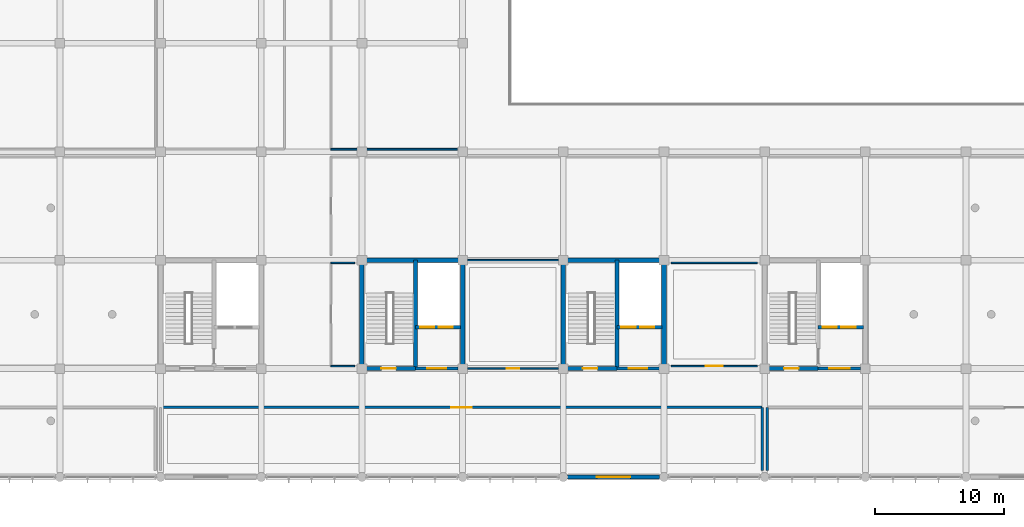
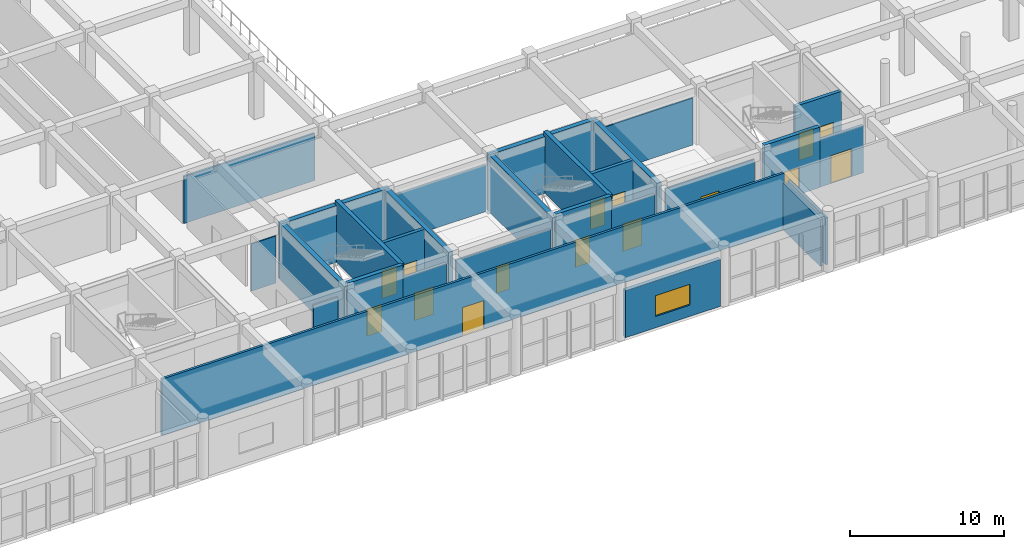
# One storey, part 152 of 167: 28 walls, 15 doors, 1 window, 16 openings.
"""IFC4 building model written with IfcOpenShell, lengths in metres."""

from ifc_helpers import new_model, si_unit, direction, frame, frame_2d, origin, place, context, subcontext, project, spatial, rectangle, extrude, material, layer, layer_set, type_object, element, fill, save


model = new_model("IFC4")

# Units and contexts
model_context = context("Model", 3, precision=1e-05, world=origin(), true_north=direction((0.0, 1.0)))
body_context = subcontext(model_context, "Body", "Model", "MODEL_VIEW")
ifc_project = project(units=[si_unit("LENGTHUNIT", "METRE"), si_unit("AREAUNIT", "SQUARE_METRE"), si_unit("VOLUMEUNIT", "CUBIC_METRE"), si_unit("PLANEANGLEUNIT", "RADIAN"), si_unit("MASSUNIT", "GRAM", prefix="KILO")], contexts=[model_context])

# Site, building, storey
site_placement = place(None, origin())
site = spatial("IfcSite", under=ifc_project, at=site_placement, CompositionType="ELEMENT")
building_placement = place(site_placement, origin())
building = spatial("IfcBuilding", under=site, at=building_placement, Name="Zizhar Promenade General Hospital", CompositionType="ELEMENT")
storey_placement = place(building_placement, frame((0.0, 0.0, 9.60009765625)))
storey = spatial("IfcBuildingStorey", under=building, at=storey_placement, Name="L02", CompositionType="ELEMENT", Elevation=9.60009765625)

# Wall, opening, window
ifc_material_1 = material(Name="Precast concrete C40/50", Category="concrete")
ifc_layer_1 = layer(ifc_material_1, 0.2900390625)
ifc_layer_set_1 = layer_set([ifc_layer_1], Name="Precast concrete C40/50")
wall_type_1 = type_object("IfcWallType", Name="EW-PC-290", PredefinedType="STANDARD", material=ifc_layer_set_1)
wall_1_placement = place(storey_placement, frame((85.4599609375, 0.0, 0.0), z_axis=(0.0, 0.0, 1.0), x_axis=(-1.0, 0.0, 0.0)))
wall_1 = element("IfcWall", 1, at=wall_1_placement, inside=storey, type_object=wall_type_1, Name="Riverfront Facade Wall L02-9", PredefinedType="STANDARD", context=body_context, shape_type="SweptSolid", body=[
    extrude(rectangle(XDim=7.119873046875, YDim=0.2900390625, at=frame_2d((3.56005859375, 0.0))), origin(), (0.0, 0.0, 1.0), 3.72998046875),
])
opening_1_placement = place(wall_1_placement, frame((2.260009765625, 0.0, 0.89990234375)))
opening_1 = element("IfcOpeningElement", 2, at=opening_1_placement, cuts=wall_1, Name="Opening W-06", PredefinedType="OPENING", context=body_context, shape_type="SweptSolid", body=[
    extrude(rectangle(XDim=2.60009765625, YDim=1.64990234375, at=frame_2d((1.300048828125, 0.824951171875))), frame((0.0, 0.155029296875, 0.0), z_axis=(0.0, -1.0, 0.0), x_axis=(1.0, 0.0, 0.0)), (0.0, 0.0, 1.0), 0.31005859375),
])
ifc_material_2 = material(Name="Anodised aluminium 6063-T6 and low-E glass", Category="aluminium")
window_type = type_object("IfcWindowType", Name="WIN-CLN-260x165", PartitioningType="TRIPLE_PANEL_VERTICAL", PredefinedType="WINDOW", material=ifc_material_2)
window_placement = place(opening_1_placement, origin())
window = element("IfcWindow", 3, at=window_placement, inside=storey, type_object=window_type, Name="Riverfront Facade Wall L02-9 Window 1", OverallHeight=1.64990234375, OverallWidth=2.60009765625, PartitioningType="SINGLE_PANEL", PredefinedType="WINDOW", context=body_context, shape_type="SweptSolid", body=[
    extrude(rectangle(XDim=2.60009765625, YDim=1.64990234375, at=frame_2d((1.300048828125, 0.824951171875))), frame((0.0, 0.030029296875, 0.0), z_axis=(0.0, -1.0, 0.0), x_axis=(1.0, 0.0, 0.0)), (0.0, 0.0, 1.0), 0.06005859375),
])
fill(opening_1, window)

# Wall, opening, door
ifc_material_3 = material(Name="Acoustic double-stud clinical partition")
ifc_layer_2 = layer(ifc_material_3, 0.179931640625)
ifc_layer_set_2 = layer_set([ifc_layer_2], Name="Acoustic double-stud clinical partition")
wall_type_2 = type_object("IfcWallType", Name="IW-ICU-180", PredefinedType="PARTITIONING", material=ifc_layer_set_2)
wall_2_placement = place(storey_placement, frame((46.800048828125, 5.39990234375, 0.0), z_axis=(0.0, 0.0, 1.0), x_axis=(1.0, 0.0, 0.0)))
wall_2 = element("IfcWall", 4, at=wall_2_placement, inside=storey, type_object=wall_type_2, Name="Adult Intensive Care Unit East N Partition", PredefinedType="PARTITIONING", context=body_context, shape_type="SweptSolid", body=[
    extrude(rectangle(XDim=46.599853515625, YDim=0.179931640625, at=frame_2d((23.2998046875, 0.0))), origin(), (0.0, 0.0, 1.0), 4.4599609375),
])
opening_2_placement = place(wall_2_placement, frame((22.5, 0.0, 0.0)))
opening_2 = element("IfcOpeningElement", 5, at=opening_2_placement, cuts=wall_2, Name="Opening D-05", PredefinedType="OPENING", context=body_context, shape_type="SweptSolid", body=[
    extrude(rectangle(XDim=1.60009765625, YDim=2.25, at=frame_2d((0.800048828125, 1.125))), frame((0.0, 0.10009765625, 0.0), z_axis=(0.0, -1.0, 0.0), x_axis=(1.0, 0.0, 0.0)), (0.0, 0.0, 1.0), 0.199951171875),
])
ifc_material_4 = material(Name="Anodised aluminium and clinical glass", Category="aluminium")
door_type_1 = type_object("IfcDoorType", Name="DR-ICU-GLZ-160x225", OperationType="SLIDING_TO_RIGHT", PredefinedType="DOOR", material=ifc_material_4)
door_1_placement = place(opening_2_placement, origin())
door_1 = element("IfcDoor", 6, at=door_1_placement, inside=storey, type_object=door_type_1, Name="Adult Intensive Care Unit East Door", OperationType="SLIDING_TO_RIGHT", OverallHeight=2.25, OverallWidth=1.60009765625, PredefinedType="DOOR", context=body_context, shape_type="SweptSolid", body=[
    extrude(rectangle(XDim=1.60009765625, YDim=2.25, at=frame_2d((0.800048828125, 1.125))), frame((0.0, 0.02490234375, 0.0), z_axis=(0.0, -1.0, 0.0), x_axis=(1.0, 0.0, 0.0)), (0.0, 0.0, 1.0), 0.050048828125),
])
fill(opening_2, door_1)

# Walls
for number, where, z_axis, x_axis, name in (
    (7, (93.39990234375, 0.5, 0.0), (0.0, 0.0, 1.0), (0.0, 1.0, 0.0), "Adult Intensive Care Unit East E Partition"),
    (8, (93.800048828125, 0.5, 0.0), (0.0, 0.0, 1.0), (0.0, 1.0, 0.0), "Paediatric and Surgical Intensive Care Unit W Partition"),
):
    element("IfcWall", number, at=place(storey_placement, frame(where, z_axis=z_axis, x_axis=x_axis)), inside=storey, type_object=wall_type_2, Name=name, PredefinedType="PARTITIONING", context=body_context, shape_type="SweptSolid", body=[
        extrude(rectangle(XDim=4.89990234375, YDim=0.179931640625, at=frame_2d((2.449951171875, 0.0))), origin(), (0.0, 0.0, 1.0), 3.71484375),
    ])
ifc_material_5 = material(Name="Chemical-resistant laboratory partition")
ifc_layer_3 = layer(ifc_material_5, 0.135009765625)
ifc_layer_set_3 = layer_set([ifc_layer_3], Name="Chemical-resistant laboratory partition")
wall_type_3 = type_object("IfcWallType", Name="IW-LAB-135", PredefinedType="PARTITIONING", material=ifc_layer_set_3)
wall_3_placement = place(storey_placement, frame((60.0, 25.39990234375, 0.0), z_axis=(0.0, 0.0, 1.0), x_axis=(1.0, 0.0, 0.0)))
element("IfcWall", 9, at=wall_3_placement, inside=storey, type_object=wall_type_3, Name="Sterile Instrument Preparation Suite S Partition", PredefinedType="PARTITIONING", context=body_context, shape_type="SweptSolid", body=[
    extrude(rectangle(XDim=9.800048828125, YDim=0.135009765625, at=frame_2d((4.89990234375, 0.0))), origin(), (0.0, 0.0, 1.0), 3.72998046875),
])

# Wall, opening, door
ifc_material_6 = material(Name="Concrete C35/45", Category="concrete")
ifc_layer_4 = layer(ifc_material_6, 0.215087890625)
ifc_layer_set_4 = layer_set([ifc_layer_4], Name="Concrete C35/45")
wall_type_4 = type_object("IfcWallType", Name="IW-LOBBY-215", PredefinedType="STANDARD", material=ifc_layer_set_4)
wall_4_placement = place(storey_placement, frame((66.550048828125, 8.39990234375, 0.0), z_axis=(0.0, 0.0, 1.0), x_axis=(1.0, 0.0, 0.0)))
wall_4 = element("IfcWall", 10, at=wall_4_placement, inside=storey, type_object=wall_type_4, Name="Core C3 Lift Lobby South Fire Wall (L02)", PredefinedType="STANDARD", context=body_context, shape_type="SweptSolid", body=[
    extrude(rectangle(XDim=3.2900390625, YDim=0.215087890625, at=frame_2d((1.64501953125, 0.0))), origin(), (0.0, 0.0, 1.0), 3.72998046875),
])
opening_3_placement = place(wall_4_placement, frame((0.925048828125, 0.0, 0.0)))
opening_3 = element("IfcOpeningElement", 11, at=opening_3_placement, cuts=wall_4, Name="Opening D-23", PredefinedType="OPENING", context=body_context, shape_type="SweptSolid", body=[
    extrude(rectangle(XDim=1.43994140625, YDim=2.199951171875, at=frame_2d((0.719970703125, 1.10009765625))), frame((0.0, 0.11767578125, 0.0), z_axis=(0.0, -1.0, 0.0), x_axis=(1.0, 0.0, 0.0)), (0.0, 0.0, 1.0), 0.235107421875),
])
ifc_material_7 = material(Name="Fire-rated timber lift lobby pair", Category="wood")
door_type_2 = type_object("IfcDoorType", Name="DR-LOBBY-PR-144x220", OperationType="DOUBLE_DOOR_SINGLE_SWING", PredefinedType="DOOR", material=ifc_material_7)
door_2_placement = place(opening_3_placement, origin())
door_2 = element("IfcDoor", 12, at=door_2_placement, inside=storey, type_object=door_type_2, Name="Core C3 Protected Lift Lobby Door (L02)", OperationType="DOUBLE_DOOR_SINGLE_SWING", OverallHeight=2.199951171875, OverallWidth=1.43994140625, PredefinedType="DOOR", context=body_context, shape_type="SweptSolid", body=[
    extrude(rectangle(XDim=1.43994140625, YDim=2.199951171875, at=frame_2d((0.719970703125, 1.10009765625))), frame((0.0, 0.02490234375, 0.0), z_axis=(0.0, -1.0, 0.0), x_axis=(1.0, 0.0, 0.0)), (0.0, 0.0, 1.0), 0.050048828125),
])
fill(opening_3, door_2)

wall_5_placement = place(storey_placement, frame((82.14990234375, 8.39990234375, 0.0), z_axis=(0.0, 0.0, 1.0), x_axis=(1.0, 0.0, 0.0)))
wall_5 = element("IfcWall", 13, at=wall_5_placement, inside=storey, type_object=wall_type_4, Name="Core C4 Lift Lobby South Fire Wall (L02)", PredefinedType="STANDARD", context=body_context, shape_type="SweptSolid", body=[
    extrude(rectangle(XDim=3.2900390625, YDim=0.215087890625, at=frame_2d((1.64501953125, 0.0))), origin(), (0.0, 0.0, 1.0), 3.72998046875),
])
opening_4_placement = place(wall_5_placement, frame((0.925048828125, 0.0, 0.0)))
opening_4 = element("IfcOpeningElement", 14, at=opening_4_placement, cuts=wall_5, Name="Opening D-23", PredefinedType="OPENING", context=body_context, shape_type="SweptSolid", body=[
    extrude(rectangle(XDim=1.43994140625, YDim=2.199951171875, at=frame_2d((0.719970703125, 1.10009765625))), frame((0.0, 0.11767578125, 0.0), z_axis=(0.0, -1.0, 0.0), x_axis=(1.0, 0.0, 0.0)), (0.0, 0.0, 1.0), 0.235107421875),
])
door_3_placement = place(opening_4_placement, origin())
door_3 = element("IfcDoor", 15, at=door_3_placement, inside=storey, type_object=door_type_2, Name="Core C4 Protected Lift Lobby Door (L02)", OperationType="DOUBLE_DOOR_SINGLE_SWING", OverallHeight=2.199951171875, OverallWidth=1.43994140625, PredefinedType="DOOR", context=body_context, shape_type="SweptSolid", body=[
    extrude(rectangle(XDim=1.43994140625, YDim=2.199951171875, at=frame_2d((0.719970703125, 1.10009765625))), frame((0.0, 0.02490234375, 0.0), z_axis=(0.0, -1.0, 0.0), x_axis=(1.0, 0.0, 0.0)), (0.0, 0.0, 1.0), 0.050048828125),
])
fill(opening_4, door_3)

wall_6_placement = place(storey_placement, frame((97.75, 8.39990234375, 0.0), z_axis=(0.0, 0.0, 1.0), x_axis=(1.0, 0.0, 0.0)))
wall_6 = element("IfcWall", 16, at=wall_6_placement, inside=storey, type_object=wall_type_4, Name="Core C5 Lift Lobby South Fire Wall (L02)", PredefinedType="STANDARD", context=body_context, shape_type="SweptSolid", body=[
    extrude(rectangle(XDim=3.2900390625, YDim=0.215087890625, at=frame_2d((1.64501953125, 0.0))), origin(), (0.0, 0.0, 1.0), 3.72998046875),
])
opening_5_placement = place(wall_6_placement, frame((0.864990234375, 0.0, 0.0)))
opening_5 = element("IfcOpeningElement", 17, at=opening_5_placement, cuts=wall_6, Name="Opening D-22", PredefinedType="OPENING", context=body_context, shape_type="SweptSolid", body=[
    extrude(rectangle(XDim=1.56005859375, YDim=2.199951171875, at=frame_2d((0.780029296875, 1.10009765625))), frame((0.0, 0.11767578125, 0.0), z_axis=(0.0, -1.0, 0.0), x_axis=(1.0, 0.0, 0.0)), (0.0, 0.0, 1.0), 0.235107421875),
])
ifc_material_8 = material(Name="Steel S355 firefighting lobby pair", Category="steel")
door_type_3 = type_object("IfcDoorType", Name="DR-LOBBY-FF-156x220", OperationType="DOUBLE_DOOR_SINGLE_SWING", PredefinedType="DOOR", material=ifc_material_8)
door_4_placement = place(opening_5_placement, origin())
door_4 = element("IfcDoor", 18, at=door_4_placement, inside=storey, type_object=door_type_3, Name="Core C5 Firefighting Lift Lobby Door (L02)", OperationType="DOUBLE_DOOR_SINGLE_SWING", OverallHeight=2.199951171875, OverallWidth=1.56005859375, PredefinedType="DOOR", context=body_context, shape_type="SweptSolid", body=[
    extrude(rectangle(XDim=1.56005859375, YDim=2.199951171875, at=frame_2d((0.780029296875, 1.10009765625))), frame((0.0, 0.02490234375, 0.0), z_axis=(0.0, -1.0, 0.0), x_axis=(1.0, 0.0, 0.0)), (0.0, 0.0, 1.0), 0.050048828125),
])
fill(opening_5, door_4)

# Wall, openings, doors
ifc_material_9 = material(Name="Concrete C35/45", Category="concrete")
ifc_layer_5 = layer(ifc_material_9, 0.25)
ifc_layer_set_5 = layer_set([ifc_layer_5], Name="Concrete C35/45")
wall_type_5 = type_object("IfcWallType", Name="IW-SHAFT-250", PredefinedType="STANDARD", material=ifc_layer_set_5)
wall_7_placement = place(storey_placement, frame((66.550048828125, 11.60009765625, 0.0), z_axis=(0.0, 0.0, 1.0), x_axis=(1.0, 0.0, 0.0)))
wall_7 = element("IfcWall", 19, at=wall_7_placement, inside=storey, type_object=wall_type_5, Name="Core C3 Lift Shaft Landing Wall (L02)", PredefinedType="STANDARD", context=body_context, shape_type="SweptSolid", body=[
    extrude(rectangle(XDim=3.5, YDim=0.25, at=frame_2d((1.75, 0.0))), origin(), (0.0, 0.0, 1.0), 4.4599609375),
])
opening_6_placement = place(wall_7_placement, frame((0.35009765625, 0.0, 0.0)))
opening_6 = element("IfcOpeningElement", 20, at=opening_6_placement, cuts=wall_7, Name="Opening LD-11", PredefinedType="OPENING", context=body_context, shape_type="SweptSolid", body=[
    extrude(rectangle(XDim=1.10009765625, YDim=2.199951171875, at=frame_2d((0.550048828125, 1.10009765625))), frame((0.0, 0.135009765625, 0.0), z_axis=(0.0, -1.0, 0.0), x_axis=(1.0, 0.0, 0.0)), (0.0, 0.0, 1.0), 0.27001953125),
])
opening_7_placement = place(wall_7_placement, frame((1.800048828125, 0.0, 0.0)))
opening_7 = element("IfcOpeningElement", 21, at=opening_7_placement, cuts=wall_7, Name="Opening LD-11", PredefinedType="OPENING", context=body_context, shape_type="SweptSolid", body=[
    extrude(rectangle(XDim=1.10009765625, YDim=2.199951171875, at=frame_2d((0.550048828125, 1.10009765625))), frame((0.0, 0.135009765625, 0.0), z_axis=(0.0, -1.0, 0.0), x_axis=(1.0, 0.0, 0.0)), (0.0, 0.0, 1.0), 0.27001953125),
])
ifc_material_10 = material(Name="Stainless Steel S355 passenger lift landing door", Category="steel")
door_type_4 = type_object("IfcDoorType", Name="DR-LIFT-LD11", OperationType="SLIDING_TO_LEFT", PredefinedType="DOOR", material=ifc_material_10)
door_5_placement = place(opening_6_placement, origin())
door_5 = element("IfcDoor", 22, at=door_5_placement, inside=storey, type_object=door_type_4, Name="Lift LB-02 Sliding Landing Door (L02)", OperationType="SLIDING_TO_LEFT", OverallHeight=2.199951171875, OverallWidth=1.10009765625, PredefinedType="DOOR", context=body_context, shape_type="SweptSolid", body=[
    extrude(rectangle(XDim=1.10009765625, YDim=2.199951171875, at=frame_2d((0.550048828125, 1.10009765625))), frame((0.0, 0.02490234375, 0.0), z_axis=(0.0, -1.0, 0.0), x_axis=(1.0, 0.0, 0.0)), (0.0, 0.0, 1.0), 0.050048828125),
])
fill(opening_6, door_5)
door_6_placement = place(opening_7_placement, origin())
door_6 = element("IfcDoor", 23, at=door_6_placement, inside=storey, type_object=door_type_4, Name="Lift LP-02 Sliding Landing Door (L02)", OperationType="SLIDING_TO_LEFT", OverallHeight=2.199951171875, OverallWidth=1.10009765625, PredefinedType="DOOR", context=body_context, shape_type="SweptSolid", body=[
    extrude(rectangle(XDim=1.10009765625, YDim=2.199951171875, at=frame_2d((0.550048828125, 1.10009765625))), frame((0.0, 0.02490234375, 0.0), z_axis=(0.0, -1.0, 0.0), x_axis=(1.0, 0.0, 0.0)), (0.0, 0.0, 1.0), 0.050048828125),
])
fill(opening_7, door_6)

wall_8_placement = place(storey_placement, frame((82.14990234375, 11.60009765625, 0.0), z_axis=(0.0, 0.0, 1.0), x_axis=(1.0, 0.0, 0.0)))
wall_8 = element("IfcWall", 24, at=wall_8_placement, inside=storey, type_object=wall_type_5, Name="Core C4 Lift Shaft Landing Wall (L02)", PredefinedType="STANDARD", context=body_context, shape_type="SweptSolid", body=[
    extrude(rectangle(XDim=3.5, YDim=0.25, at=frame_2d((1.75, 0.0))), origin(), (0.0, 0.0, 1.0), 4.4599609375),
])
opening_8_placement = place(wall_8_placement, frame((0.35009765625, 0.0, 0.0)))
opening_8 = element("IfcOpeningElement", 25, at=opening_8_placement, cuts=wall_8, Name="Opening LD-11", PredefinedType="OPENING", context=body_context, shape_type="SweptSolid", body=[
    extrude(rectangle(XDim=1.10009765625, YDim=2.199951171875, at=frame_2d((0.550048828125, 1.10009765625))), frame((0.0, 0.135009765625, 0.0), z_axis=(0.0, -1.0, 0.0), x_axis=(1.0, 0.0, 0.0)), (0.0, 0.0, 1.0), 0.27001953125),
])
opening_9_placement = place(wall_8_placement, frame((1.800048828125, 0.0, 0.0)))
opening_9 = element("IfcOpeningElement", 26, at=opening_9_placement, cuts=wall_8, Name="Opening LD-11", PredefinedType="OPENING", context=body_context, shape_type="SweptSolid", body=[
    extrude(rectangle(XDim=1.10009765625, YDim=2.199951171875, at=frame_2d((0.550048828125, 1.10009765625))), frame((0.0, 0.135009765625, 0.0), z_axis=(0.0, -1.0, 0.0), x_axis=(1.0, 0.0, 0.0)), (0.0, 0.0, 1.0), 0.27001953125),
])
door_7_placement = place(opening_8_placement, origin())
door_7 = element("IfcDoor", 27, at=door_7_placement, inside=storey, type_object=door_type_4, Name="Lift LB-03 Sliding Landing Door (L02)", OperationType="SLIDING_TO_LEFT", OverallHeight=2.199951171875, OverallWidth=1.10009765625, PredefinedType="DOOR", context=body_context, shape_type="SweptSolid", body=[
    extrude(rectangle(XDim=1.10009765625, YDim=2.199951171875, at=frame_2d((0.550048828125, 1.10009765625))), frame((0.0, 0.02490234375, 0.0), z_axis=(0.0, -1.0, 0.0), x_axis=(1.0, 0.0, 0.0)), (0.0, 0.0, 1.0), 0.050048828125),
])
fill(opening_8, door_7)
door_8_placement = place(opening_9_placement, origin())
door_8 = element("IfcDoor", 28, at=door_8_placement, inside=storey, type_object=door_type_4, Name="Lift LP-03 Sliding Landing Door (L02)", OperationType="SLIDING_TO_LEFT", OverallHeight=2.199951171875, OverallWidth=1.10009765625, PredefinedType="DOOR", context=body_context, shape_type="SweptSolid", body=[
    extrude(rectangle(XDim=1.10009765625, YDim=2.199951171875, at=frame_2d((0.550048828125, 1.10009765625))), frame((0.0, 0.02490234375, 0.0), z_axis=(0.0, -1.0, 0.0), x_axis=(1.0, 0.0, 0.0)), (0.0, 0.0, 1.0), 0.050048828125),
])
fill(opening_9, door_8)

wall_9_placement = place(storey_placement, frame((97.75, 11.60009765625, 0.0), z_axis=(0.0, 0.0, 1.0), x_axis=(1.0, 0.0, 0.0)))
wall_9 = element("IfcWall", 29, at=wall_9_placement, inside=storey, type_object=wall_type_5, Name="Core C5 Lift Shaft Landing Wall (L02)", PredefinedType="STANDARD", context=body_context, shape_type="SweptSolid", body=[
    extrude(rectangle(XDim=3.5, YDim=0.25, at=frame_2d((1.75, 0.0))), origin(), (0.0, 0.0, 1.0), 4.4599609375),
])
opening_10_placement = place(wall_9_placement, frame((0.35009765625, 0.0, 0.0)))
opening_10 = element("IfcOpeningElement", 30, at=opening_10_placement, cuts=wall_9, Name="Opening LD-11", PredefinedType="OPENING", context=body_context, shape_type="SweptSolid", body=[
    extrude(rectangle(XDim=1.10009765625, YDim=2.199951171875, at=frame_2d((0.550048828125, 1.10009765625))), frame((0.0, 0.135009765625, 0.0), z_axis=(0.0, -1.0, 0.0), x_axis=(1.0, 0.0, 0.0)), (0.0, 0.0, 1.0), 0.27001953125),
])
opening_11_placement = place(wall_9_placement, frame((1.800048828125, 0.0, 0.0)))
opening_11 = element("IfcOpeningElement", 31, at=opening_11_placement, cuts=wall_9, Name="Opening LD-11", PredefinedType="OPENING", context=body_context, shape_type="SweptSolid", body=[
    extrude(rectangle(XDim=1.10009765625, YDim=2.199951171875, at=frame_2d((0.550048828125, 1.10009765625))), frame((0.0, 0.135009765625, 0.0), z_axis=(0.0, -1.0, 0.0), x_axis=(1.0, 0.0, 0.0)), (0.0, 0.0, 1.0), 0.27001953125),
])
door_9_placement = place(opening_10_placement, origin())
door_9 = element("IfcDoor", 32, at=door_9_placement, inside=storey, type_object=door_type_4, Name="Lift LF-02 Sliding Landing Door (L02)", OperationType="SLIDING_TO_LEFT", OverallHeight=2.199951171875, OverallWidth=1.10009765625, PredefinedType="DOOR", context=body_context, shape_type="SweptSolid", body=[
    extrude(rectangle(XDim=1.10009765625, YDim=2.199951171875, at=frame_2d((0.550048828125, 1.10009765625))), frame((0.0, 0.02490234375, 0.0), z_axis=(0.0, -1.0, 0.0), x_axis=(1.0, 0.0, 0.0)), (0.0, 0.0, 1.0), 0.050048828125),
])
fill(opening_10, door_9)
door_10_placement = place(opening_11_placement, origin())
door_10 = element("IfcDoor", 33, at=door_10_placement, inside=storey, type_object=door_type_4, Name="Lift LB-04 Sliding Landing Door (L02)", OperationType="SLIDING_TO_LEFT", OverallHeight=2.199951171875, OverallWidth=1.10009765625, PredefinedType="DOOR", context=body_context, shape_type="SweptSolid", body=[
    extrude(rectangle(XDim=1.10009765625, YDim=2.199951171875, at=frame_2d((0.550048828125, 1.10009765625))), frame((0.0, 0.02490234375, 0.0), z_axis=(0.0, -1.0, 0.0), x_axis=(1.0, 0.0, 0.0)), (0.0, 0.0, 1.0), 0.050048828125),
])
fill(opening_11, door_10)

# Walls
ifc_material_11 = material(Name="Clean utility gypsum partition")
ifc_layer_6 = layer(ifc_material_11, 0.114990234375)
ifc_layer_set_6 = layer_set([ifc_layer_6], Name="Clean utility gypsum partition")
wall_type_6 = type_object("IfcWallType", Name="IW-STR-115", PredefinedType="PARTITIONING", material=ifc_layer_set_6)
for number, where, z_axis, x_axis, name in (
    (34, (60.0, 8.60009765625, 0.0), (0.0, 0.0, 1.0), (1.0, 0.0, 0.0), "ICU Clean Utility L02 S Partition"),
    (35, (60.0, 16.60009765625, 0.0), (0.0, 0.0, 1.0), (1.0, 0.0, 0.0), "ICU Clean Utility L02 N Partition"),
):
    element("IfcWall", number, at=place(storey_placement, frame(where, z_axis=z_axis, x_axis=x_axis)), inside=storey, type_object=wall_type_6, Name=name, PredefinedType="PARTITIONING", context=body_context, shape_type="SweptSolid", body=[
        extrude(rectangle(XDim=1.840087890625, YDim=0.114990234375, at=frame_2d((0.919921875, 0.0))), origin(), (0.0, 0.0, 1.0), 3.72998046875),
    ])

# Wall, opening, door
wall_10_placement = place(storey_placement, frame((86.360107421875, 8.60009765625, 0.0), z_axis=(0.0, 0.0, 1.0), x_axis=(1.0, 0.0, 0.0)))
wall_10 = element("IfcWall", 36, at=wall_10_placement, inside=storey, type_object=wall_type_6, Name="ICU Central Monitoring and Clean Utility L02 S Partition", PredefinedType="PARTITIONING", context=body_context, shape_type="SweptSolid", body=[
    extrude(rectangle(XDim=6.679931640625, YDim=0.114990234375, at=frame_2d((3.33984375, 0.0))), origin(), (0.0, 0.0, 1.0), 3.72998046875),
])
opening_12_placement = place(wall_10_placement, frame((2.679931640625, 0.0, 0.0)))
opening_12 = element("IfcOpeningElement", 37, at=opening_12_placement, cuts=wall_10, Name="Opening D-26", PredefinedType="OPENING", context=body_context, shape_type="SweptSolid", body=[
    extrude(rectangle(XDim=1.320068359375, YDim=2.14990234375, at=frame_2d((0.66015625, 1.074951171875))), frame((0.0, 0.0673828125, 0.0), z_axis=(0.0, -1.0, 0.0), x_axis=(1.0, 0.0, 0.0)), (0.0, 0.0, 1.0), 0.135009765625),
])
ifc_material_12 = material(Name="Fire-rated timber store leaf", Category="wood")
door_type_5 = type_object("IfcDoorType", Name="DR-STORE-132x215", OperationType="NOTDEFINED", PredefinedType="DOOR", material=ifc_material_12)
door_11_placement = place(opening_12_placement, origin())
door_11 = element("IfcDoor", 38, at=door_11_placement, inside=storey, type_object=door_type_5, Name="ICU Central Monitoring and Clean Utility L02 Door", OperationType="SINGLE_SWING_RIGHT", OverallHeight=2.14990234375, OverallWidth=1.320068359375, PredefinedType="DOOR", context=body_context, shape_type="SweptSolid", body=[
    extrude(rectangle(XDim=1.320068359375, YDim=2.14990234375, at=frame_2d((0.66015625, 1.074951171875))), frame((0.0, 0.02490234375, 0.0), z_axis=(0.0, -1.0, 0.0), x_axis=(1.0, 0.0, 0.0)), (0.0, 0.0, 1.0), 0.050048828125),
])
fill(opening_12, door_11)

# Wall
wall_11_placement = place(storey_placement, frame((86.360107421875, 16.60009765625, 0.0), z_axis=(0.0, 0.0, 1.0), x_axis=(1.0, 0.0, 0.0)))
element("IfcWall", 39, at=wall_11_placement, inside=storey, type_object=wall_type_6, Name="ICU Central Monitoring and Clean Utility L02 N Partition", PredefinedType="PARTITIONING", context=body_context, shape_type="SweptSolid", body=[
    extrude(rectangle(XDim=6.679931640625, YDim=0.114990234375, at=frame_2d((3.33984375, 0.0))), origin(), (0.0, 0.0, 1.0), 3.72998046875),
])

# Wall, opening, door
ifc_material_13 = material(Name="Moisture-resistant en-suite wet partition")
ifc_layer_7 = layer(ifc_material_13, 0.125)
ifc_layer_set_7 = layer_set([ifc_layer_7], Name="Moisture-resistant en-suite wet partition")
wall_type_7 = type_object("IfcWallType", Name="IW-WET-125", PredefinedType="PARTITIONING", material=ifc_layer_set_7)
wall_12_placement = place(storey_placement, frame((70.56005859375, 8.39990234375, 0.0), z_axis=(0.0, 0.0, 1.0), x_axis=(1.0, 0.0, 0.0)))
wall_12 = element("IfcWall", 40, at=wall_12_placement, inside=storey, type_object=wall_type_7, Name="Accessible Public and Staff Toilet L02 S Partition", PredefinedType="PARTITIONING", context=body_context, shape_type="SweptSolid", body=[
    extrude(rectangle(XDim=7.079833984375, YDim=0.125, at=frame_2d((3.5400390625, 0.0))), origin(), (0.0, 0.0, 1.0), 3.72998046875),
])
opening_13_placement = place(wall_12_placement, frame((3.0400390625, 0.0, 0.0)))
opening_13 = element("IfcOpeningElement", 41, at=opening_13_placement, cuts=wall_12, Name="Opening D-19", PredefinedType="OPENING", context=body_context, shape_type="SweptSolid", body=[
    extrude(rectangle(XDim=1.0, YDim=2.10009765625, at=frame_2d((0.5, 1.050048828125))), frame((0.0, 0.072509765625, 0.0), z_axis=(0.0, -1.0, 0.0), x_axis=(1.0, 0.0, 0.0)), (0.0, 0.0, 1.0), 0.14501953125),
])
ifc_material_14 = material(Name="Moisture-resistant timber accessible WC", Category="wood")
door_type_6 = type_object("IfcDoorType", Name="DR-WC-PMR-100x210", OperationType="NOTDEFINED", PredefinedType="DOOR", material=ifc_material_14)
door_12_placement = place(opening_13_placement, origin())
door_12 = element("IfcDoor", 42, at=door_12_placement, inside=storey, type_object=door_type_6, Name="Accessible Public and Staff Toilet L02 Door", OperationType="SINGLE_SWING_RIGHT", OverallHeight=2.10009765625, OverallWidth=1.0, PredefinedType="DOOR", context=body_context, shape_type="SweptSolid", body=[
    extrude(rectangle(XDim=1.0, YDim=2.10009765625, at=frame_2d((0.5, 1.050048828125))), frame((0.0, 0.02490234375, 0.0), z_axis=(0.0, -1.0, 0.0), x_axis=(1.0, 0.0, 0.0)), (0.0, 0.0, 1.0), 0.050048828125),
])
fill(opening_13, door_12)

# Wall
wall_13_placement = place(storey_placement, frame((70.56005859375, 16.800048828125, 0.0), z_axis=(0.0, 0.0, 1.0), x_axis=(1.0, 0.0, 0.0)))
element("IfcWall", 43, at=wall_13_placement, inside=storey, type_object=wall_type_7, Name="Accessible Public and Staff Toilet L02 N Partition", PredefinedType="PARTITIONING", context=body_context, shape_type="SweptSolid", body=[
    extrude(rectangle(XDim=7.079833984375, YDim=0.125, at=frame_2d((3.5400390625, 0.0))), origin(), (0.0, 0.0, 1.0), 3.72998046875),
])

# Wall, opening, door
ifc_material_15 = material(Name="Concrete C40/50", Category="concrete")
ifc_layer_8 = layer(ifc_material_15, 0.300048828125)
ifc_layer_set_8 = layer_set([ifc_layer_8], Name="Concrete C40/50")
wall_type_8 = type_object("IfcWallType", Name="WL-CORE-300", PredefinedType="SHEAR", material=ifc_layer_set_8)
wall_14_placement = place(storey_placement, frame((62.39990234375, 8.39990234375, 0.0), z_axis=(0.0, 0.0, 1.0), x_axis=(1.0, 0.0, 0.0)))
wall_14 = element("IfcWall", 44, at=wall_14_placement, inside=storey, type_object=wall_type_8, Name="Core C3 Stair South Fire Wall (L02)", PredefinedType="SHEAR", context=body_context, shape_type="SweptSolid", body=[
    extrude(rectangle(XDim=4.150146484375, YDim=0.300048828125, at=frame_2d((2.0751953125, 0.0))), origin(), (0.0, 0.0, 1.0), 4.7998046875),
])
opening_14_placement = place(wall_14_placement, frame((1.514892578125, 0.0, 0.0)))
opening_14 = element("IfcOpeningElement", 45, at=opening_14_placement, cuts=wall_14, Name="Opening D-21", PredefinedType="OPENING", context=body_context, shape_type="SweptSolid", body=[
    extrude(rectangle(XDim=1.1201171875, YDim=2.14990234375, at=frame_2d((0.56005859375, 1.074951171875))), frame((0.0, 0.16015625, 0.0), z_axis=(0.0, -1.0, 0.0), x_axis=(1.0, 0.0, 0.0)), (0.0, 0.0, 1.0), 0.320068359375),
])
ifc_material_16 = material(Name="Steel S355 protected stair door", Category="steel")
door_type_7 = type_object("IfcDoorType", Name="DR-STAIR-112x215", OperationType="NOTDEFINED", PredefinedType="DOOR", material=ifc_material_16)
door_13_placement = place(opening_14_placement, origin())
door_13 = element("IfcDoor", 46, at=door_13_placement, inside=storey, type_object=door_type_7, Name="Exit Stair ST-03 Door (L02)", OperationType="SINGLE_SWING_LEFT", OverallHeight=2.14990234375, OverallWidth=1.1201171875, PredefinedType="DOOR", context=body_context, shape_type="SweptSolid", body=[
    extrude(rectangle(XDim=1.1201171875, YDim=2.14990234375, at=frame_2d((0.56005859375, 1.074951171875))), frame((0.0, 0.02490234375, 0.0), z_axis=(0.0, -1.0, 0.0), x_axis=(1.0, 0.0, 0.0)), (0.0, 0.0, 1.0), 0.050048828125),
])
fill(opening_14, door_13)

# Wall
wall_15_placement = place(storey_placement, frame((66.550048828125, 8.39990234375, 0.0), z_axis=(0.0, 0.0, 1.0), x_axis=(0.0, 1.0, 0.0)))
element("IfcWall", 47, at=wall_15_placement, inside=storey, type_object=wall_type_8, Name="Core C3 Stair-Shaft Separation Wall (L02)", PredefinedType="SHEAR", context=body_context, shape_type="SweptSolid", body=[
    extrude(rectangle(XDim=8.400146484375, YDim=0.300048828125, at=frame_2d((4.2001953125, 0.0))), origin(), (0.0, 0.0, 1.0), 4.7998046875),
])

# Wall, opening, door
wall_16_placement = place(storey_placement, frame((78.0, 8.39990234375, 0.0), z_axis=(0.0, 0.0, 1.0), x_axis=(1.0, 0.0, 0.0)))
wall_16 = element("IfcWall", 48, at=wall_16_placement, inside=storey, type_object=wall_type_8, Name="Core C4 Stair South Fire Wall (L02)", PredefinedType="SHEAR", context=body_context, shape_type="SweptSolid", body=[
    extrude(rectangle(XDim=4.14990234375, YDim=0.300048828125, at=frame_2d((2.074951171875, 0.0))), origin(), (0.0, 0.0, 1.0), 4.7998046875),
])
opening_15_placement = place(wall_16_placement, frame((1.514892578125, 0.0, 0.0)))
opening_15 = element("IfcOpeningElement", 49, at=opening_15_placement, cuts=wall_16, Name="Opening D-21", PredefinedType="OPENING", context=body_context, shape_type="SweptSolid", body=[
    extrude(rectangle(XDim=1.1201171875, YDim=2.14990234375, at=frame_2d((0.56005859375, 1.074951171875))), frame((0.0, 0.16015625, 0.0), z_axis=(0.0, -1.0, 0.0), x_axis=(1.0, 0.0, 0.0)), (0.0, 0.0, 1.0), 0.320068359375),
])
door_14_placement = place(opening_15_placement, origin())
door_14 = element("IfcDoor", 50, at=door_14_placement, inside=storey, type_object=door_type_7, Name="Exit Stair ST-04 Door (L02)", OperationType="SINGLE_SWING_LEFT", OverallHeight=2.14990234375, OverallWidth=1.1201171875, PredefinedType="DOOR", context=body_context, shape_type="SweptSolid", body=[
    extrude(rectangle(XDim=1.1201171875, YDim=2.14990234375, at=frame_2d((0.56005859375, 1.074951171875))), frame((0.0, 0.02490234375, 0.0), z_axis=(0.0, -1.0, 0.0), x_axis=(1.0, 0.0, 0.0)), (0.0, 0.0, 1.0), 0.050048828125),
])
fill(opening_15, door_14)

# Wall
wall_17_placement = place(storey_placement, frame((82.14990234375, 8.39990234375, 0.0), z_axis=(0.0, 0.0, 1.0), x_axis=(0.0, 1.0, 0.0)))
element("IfcWall", 51, at=wall_17_placement, inside=storey, type_object=wall_type_8, Name="Core C4 Stair-Shaft Separation Wall (L02)", PredefinedType="SHEAR", context=body_context, shape_type="SweptSolid", body=[
    extrude(rectangle(XDim=8.400146484375, YDim=0.300048828125, at=frame_2d((4.2001953125, 0.0))), origin(), (0.0, 0.0, 1.0), 4.7998046875),
])

# Wall, opening, door
wall_18_placement = place(storey_placement, frame((93.60009765625, 8.39990234375, 0.0), z_axis=(0.0, 0.0, 1.0), x_axis=(1.0, 0.0, 0.0)))
wall_18 = element("IfcWall", 52, at=wall_18_placement, inside=storey, type_object=wall_type_8, Name="Core C5 Stair South Fire Wall (L02)", PredefinedType="SHEAR", context=body_context, shape_type="SweptSolid", body=[
    extrude(rectangle(XDim=4.14990234375, YDim=0.300048828125, at=frame_2d((2.074951171875, 0.0))), origin(), (0.0, 0.0, 1.0), 4.7998046875),
])
opening_16_placement = place(wall_18_placement, frame((1.514892578125, 0.0, 0.0)))
opening_16 = element("IfcOpeningElement", 53, at=opening_16_placement, cuts=wall_18, Name="Opening D-21", PredefinedType="OPENING", context=body_context, shape_type="SweptSolid", body=[
    extrude(rectangle(XDim=1.1201171875, YDim=2.14990234375, at=frame_2d((0.56005859375, 1.074951171875))), frame((0.0, 0.16015625, 0.0), z_axis=(0.0, -1.0, 0.0), x_axis=(1.0, 0.0, 0.0)), (0.0, 0.0, 1.0), 0.320068359375),
])
door_15_placement = place(opening_16_placement, origin())
door_15 = element("IfcDoor", 54, at=door_15_placement, inside=storey, type_object=door_type_7, Name="Exit Stair ST-05 Door (L02)", OperationType="SINGLE_SWING_RIGHT", OverallHeight=2.14990234375, OverallWidth=1.1201171875, PredefinedType="DOOR", context=body_context, shape_type="SweptSolid", body=[
    extrude(rectangle(XDim=1.1201171875, YDim=2.14990234375, at=frame_2d((0.56005859375, 1.074951171875))), frame((0.0, 0.02490234375, 0.0), z_axis=(0.0, -1.0, 0.0), x_axis=(1.0, 0.0, 0.0)), (0.0, 0.0, 1.0), 0.050048828125),
])
fill(opening_16, door_15)

# Walls
ifc_material_17 = material(Name="Concrete C40/50", Category="concrete")
ifc_layer_9 = layer(ifc_material_17, 0.35009765625)
ifc_layer_set_9 = layer_set([ifc_layer_9], Name="Concrete C40/50")
wall_type_9 = type_object("IfcWallType", Name="WL-CORE-350", PredefinedType="SHEAR", material=ifc_layer_set_9)
wall_19_placement = place(storey_placement, frame((62.22509765625, 16.800048828125, 0.0), z_axis=(0.0, 0.0, 1.0), x_axis=(1.0, 0.0, 0.0)))
element("IfcWall", 55, at=wall_19_placement, inside=storey, type_object=wall_type_9, Name="Core C3 North Shear Wall L02", PredefinedType="SHEAR", context=body_context, shape_type="SweptSolid", body=[
    extrude(rectangle(XDim=8.14990234375, YDim=0.35009765625, at=frame_2d((4.074951171875, 0.0))), origin(), (0.0, 0.0, 1.0), 4.47998046875),
])
for number, where, z_axis, x_axis, name in (
    (56, (62.39990234375, 8.39990234375, 0.0), (0.0, 0.0, 1.0), (0.0, 1.0, 0.0), "Core C3 West Shear Wall L02"),
    (57, (70.199951171875, 8.39990234375, 0.0), (0.0, 0.0, 1.0), (0.0, 1.0, 0.0), "Core C3 East Shear Wall L02"),
):
    element("IfcWall", number, at=place(storey_placement, frame(where, z_axis=z_axis, x_axis=x_axis)), inside=storey, type_object=wall_type_9, Name=name, PredefinedType="SHEAR", context=body_context, shape_type="SweptSolid", body=[
        extrude(rectangle(XDim=8.400146484375, YDim=0.35009765625, at=frame_2d((4.2001953125, 0.0))), origin(), (0.0, 0.0, 1.0), 4.47998046875),
    ])
wall_20_placement = place(storey_placement, frame((77.824951171875, 16.800048828125, 0.0), z_axis=(0.0, 0.0, 1.0), x_axis=(1.0, 0.0, 0.0)))
element("IfcWall", 58, at=wall_20_placement, inside=storey, type_object=wall_type_9, Name="Core C4 North Shear Wall L02", PredefinedType="SHEAR", context=body_context, shape_type="SweptSolid", body=[
    extrude(rectangle(XDim=8.150146484375, YDim=0.35009765625, at=frame_2d((4.0751953125, 0.0))), origin(), (0.0, 0.0, 1.0), 4.47998046875),
])
for number, where, z_axis, x_axis, name in (
    (59, (78.0, 8.39990234375, 0.0), (0.0, 0.0, 1.0), (0.0, 1.0, 0.0), "Core C4 West Shear Wall L02"),
    (60, (85.800048828125, 8.39990234375, 0.0), (0.0, 0.0, 1.0), (0.0, 1.0, 0.0), "Core C4 East Shear Wall L02"),
):
    element("IfcWall", number, at=place(storey_placement, frame(where, z_axis=z_axis, x_axis=x_axis)), inside=storey, type_object=wall_type_9, Name=name, PredefinedType="SHEAR", context=body_context, shape_type="SweptSolid", body=[
        extrude(rectangle(XDim=8.400146484375, YDim=0.35009765625, at=frame_2d((4.2001953125, 0.0))), origin(), (0.0, 0.0, 1.0), 4.47998046875),
    ])

save(model, "model.ifc")
